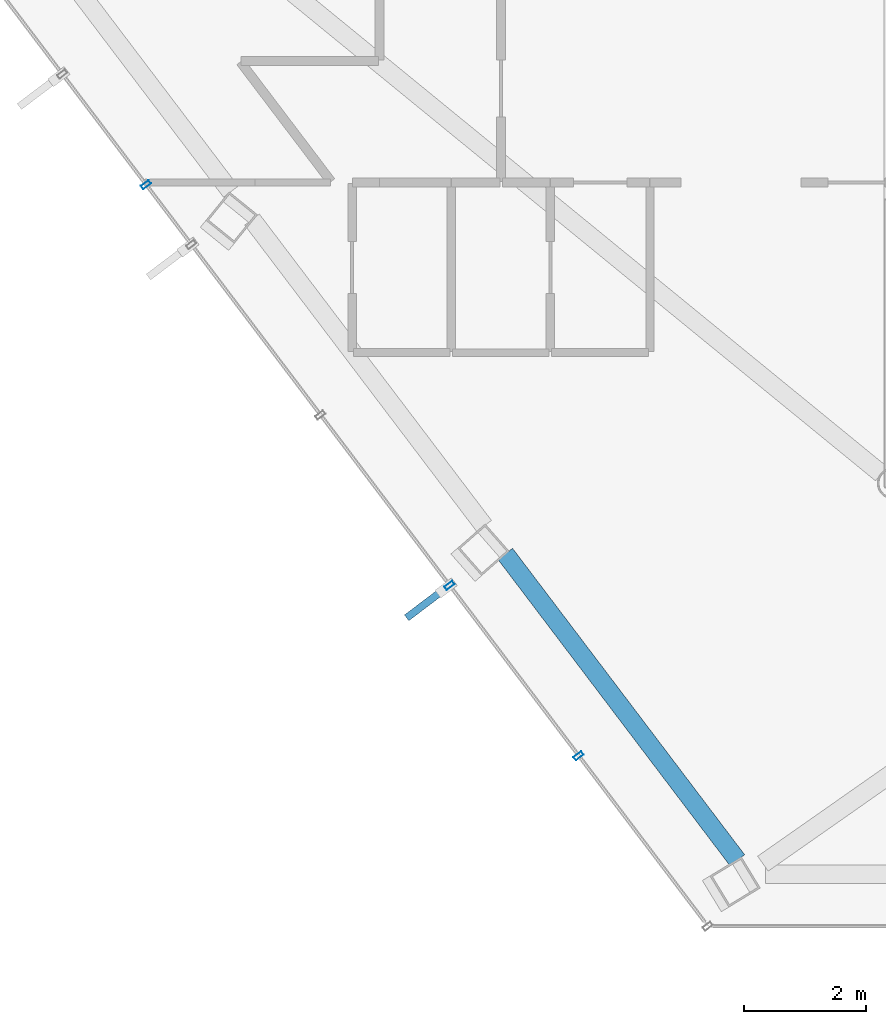
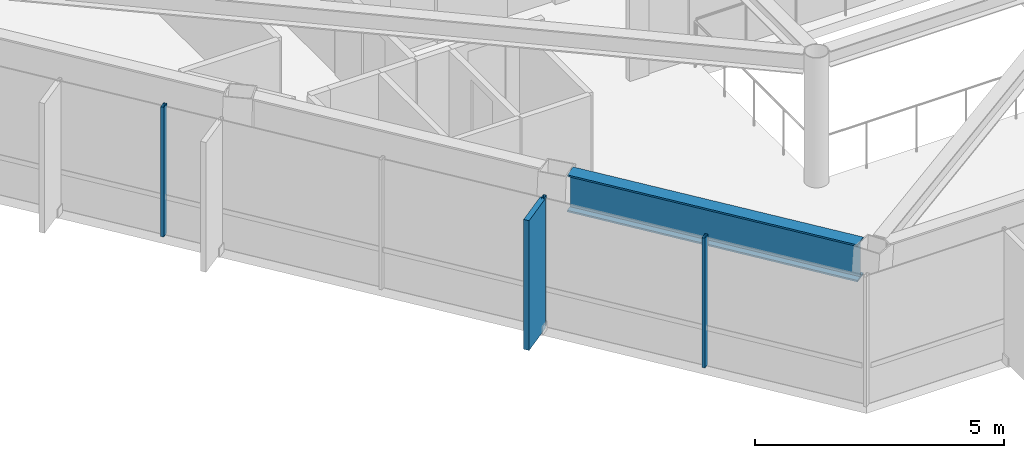
# One storey, part 2 of 27: 4 members, 1 beam, 1 element without a shape of its own.
"""IFC4 building model written with IfcOpenShell, lengths in metres."""

from ifc_helpers import new_model, si_unit, direction, frame, origin, origin_2d, place, context, subcontext, project, spatial, rectangle, hollow_rectangle, i_section, extrude, material, layer, layer_set, material_profile, profile_set, type_object, element, aggregate, save


model = new_model("IFC4")

# Units and contexts
model_context = context("Model", 3, precision=1e-05, world=origin(), true_north=direction((0.0, 1.0)))
body_context = subcontext(model_context, "Body", "Model", "MODEL_VIEW")
ifc_project = project(units=[si_unit("LENGTHUNIT", "METRE"), si_unit("AREAUNIT", "SQUARE_METRE"), si_unit("VOLUMEUNIT", "CUBIC_METRE"), si_unit("PLANEANGLEUNIT", "RADIAN"), si_unit("MASSUNIT", "GRAM", prefix="KILO")], contexts=[model_context])

# Site, building, storey
site_placement = place(None, origin())
site = spatial("IfcSite", under=ifc_project, at=site_placement, CompositionType="ELEMENT")
building_placement = place(site_placement, origin())
building = spatial("IfcBuilding", under=site, at=building_placement, Name="Zarrinselat Tower", CompositionType="ELEMENT")
storey_placement = place(building_placement, frame((0.0, 0.0, 215.56005859375)))
storey = spatial("IfcBuildingStorey", under=building, at=storey_placement, Name="L53", CompositionType="ELEMENT", Elevation=215.56005859375)

# Beam
ifc_material_1 = material(Name="Steel S460M", Category="steel")
ifc_material_profile_1 = material_profile(ifc_material_1, i_section(OverallWidth=0.302001953125, OverallDepth=0.909912109375, WebThickness=0.02099609375, FlangeThickness=0.0400390625, at=origin_2d()), Name="HEM 900")
ifc_profile_set_1 = profile_set([ifc_material_profile_1], Name="Steel S460M")
beam_type = type_object("IfcBeamType", Name="BM-HEM900", PredefinedType="BEAM", material=ifc_profile_set_1)
beam_placement = place(storey_placement, frame((28.618896484375, 24.038330078125, 2.724853515625), z_axis=(0.603895584246, -0.797063437455, 0.0), x_axis=(0.797063437455, 0.603895584246, 0.0)))
element("IfcBeam", 1, at=beam_placement, inside=storey, type_object=beam_type, Name="L53 Perimeter Spandrel Girder SP09", PredefinedType="BEAM", context=body_context, shape_type="SweptSolid", body=[
    extrude(i_section(OverallWidth=0.302001953125, OverallDepth=0.909912109375, WebThickness=0.02099609375, FlangeThickness=0.0400390625, at=origin_2d()), origin(), (0.0, 0.0, 1.0), 6.32568359375),
])

# Curtain wall, members
ifc_material_2 = material(Name="Extruded Aluminium Alloy EN AW-6063 T6", Category="aluminium")
ifc_layer = layer(ifc_material_2, 0.169921875)
ifc_layer_set = layer_set([ifc_layer], Name="Extruded Aluminium Alloy EN AW-6063 T6")
curtain_wall_type = type_object("IfcCurtainWallType", Name="CWS-RES", PredefinedType="NOTDEFINED", material=ifc_layer_set)
curtain_wall_placement = place(storey_placement, origin())
curtain_wall = element("IfcCurtainWall", 2, at=curtain_wall_placement, inside=storey, type_object=curtain_wall_type, Name="L53 Unitised Curtain Wall CW-L53-E03", PredefinedType="NOTDEFINED")
ifc_material_3 = material(Name="Extruded Aluminium Alloy EN AW-6063 T6", Category="aluminium")
ifc_material_profile_2 = material_profile(ifc_material_3, hollow_rectangle(XDim=0.070068359375, YDim=0.159912109375, WallThickness=0.00390625, at=origin_2d()), Name="RHS 160x70x4")
ifc_profile_set_2 = profile_set([ifc_material_profile_2], Name="Extruded Aluminium Alloy EN AW-6063 T6")
member_type_1 = type_object("IfcMemberType", Name="MEM-CW-MUL2", PredefinedType="MULLION", material=ifc_profile_set_2)
member_1_placement = place(storey_placement, frame((22.7060546875, 30.11376953125, 0.0), z_axis=(0.0, 0.0, 1.0), x_axis=(0.603858850791, -0.797091267247, 0.0)))
member_1 = element("IfcMember", 3, at=member_1_placement, type_object=member_type_1, Name="CW-L53-E03 Mullion 4", PredefinedType="MULLION", context=body_context, shape_type="SweptSolid", body=[
    extrude(hollow_rectangle(XDim=0.070068359375, YDim=0.159912109375, WallThickness=0.00390625, at=origin_2d()), origin(), (0.0, 0.0, 1.0), 3.179931640625),
])
member_2_placement = place(storey_placement, frame((27.70166015625, 23.51953125, 0.0), z_axis=(0.0, 0.0, 1.0), x_axis=(0.603858850791, -0.797091267247, 0.0)))
member_2 = element("IfcMember", 4, at=member_2_placement, type_object=member_type_1, Name="CW-L53-E03 Mullion 7", PredefinedType="MULLION", context=body_context, shape_type="SweptSolid", body=[
    extrude(hollow_rectangle(XDim=0.070068359375, YDim=0.159912109375, WallThickness=0.00390625, at=origin_2d()), origin(), (0.0, 0.0, 1.0), 3.179931640625),
])
member_3_placement = place(storey_placement, frame((29.826416015625, 20.715087890625, 0.0), z_axis=(0.0, 0.0, 1.0), x_axis=(0.603858850791, -0.797091267247, 0.0)))
member_3 = element("IfcMember", 5, at=member_3_placement, type_object=member_type_1, Name="CW-L53-E03 Mullion 8", PredefinedType="MULLION", context=body_context, shape_type="SweptSolid", body=[
    extrude(hollow_rectangle(XDim=0.070068359375, YDim=0.159912109375, WallThickness=0.00390625, at=origin_2d()), origin(), (0.0, 0.0, 1.0), 3.179931640625),
])
ifc_material_4 = material(Name="Honed Cream Travertine Stone", Category="masonry")
ifc_material_profile_3 = material_profile(ifc_material_4, rectangle(XDim=0.1201171875, YDim=0.85009765625, at=origin_2d()), Name="FIN 850x120")
ifc_profile_set_3 = profile_set([ifc_material_profile_3], Name="Honed Cream Travertine Stone")
member_type_2 = type_object("IfcMemberType", Name="MEM-STONE-FIN", PredefinedType="USERDEFINED", material=ifc_profile_set_3)
member_4_placement = place(storey_placement, frame((27.3349609375, 23.24169921875, 0.0), z_axis=(0.0, 0.0, 1.0), x_axis=(-0.603858850791, 0.797091267247, 0.0)))
member_4 = element("IfcMember", 6, at=member_4_placement, type_object=member_type_2, Name="L53 Stone Shading Fin CW-L53-E03-07", ObjectType="FIN", PredefinedType="USERDEFINED", context=body_context, shape_type="SweptSolid", body=[
    extrude(rectangle(XDim=0.1201171875, YDim=0.85009765625, at=origin_2d()), origin(), (0.0, 0.0, 1.0), 3.179931640625),
])
aggregate(curtain_wall, [member_1, member_2, member_4, member_3])

save(model, "model.ifc")
